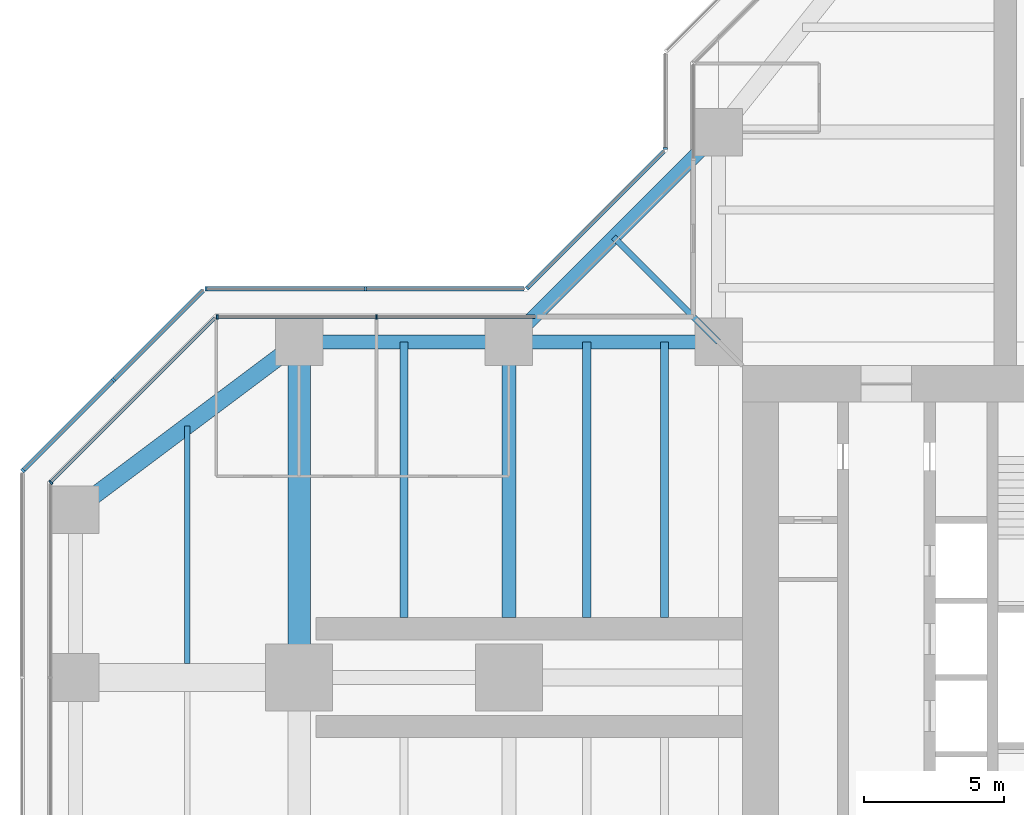
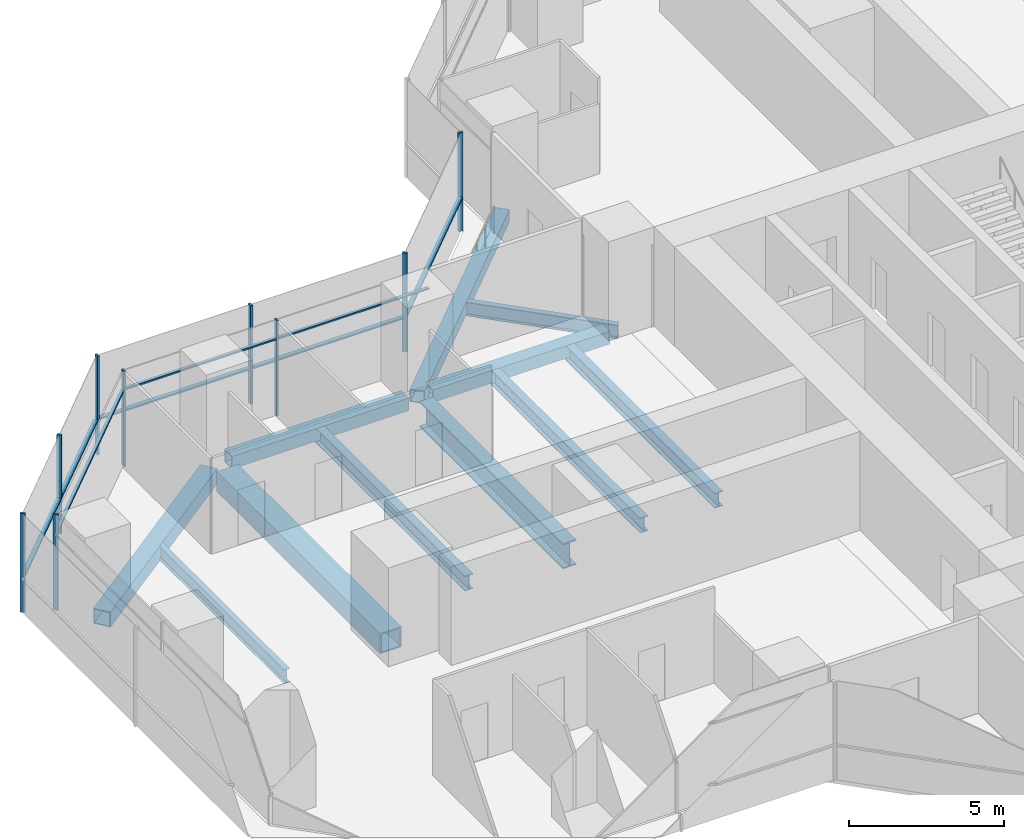
# One storey, part 7 of 20: 17 members, 11 beams, 6 elements without a shape of their own.
"""IFC4 building model written with IfcOpenShell, lengths in metres."""

from ifc_helpers import new_model, si_unit, direction, frame, origin, origin_2d, place, context, subcontext, project, spatial, rectangle, hollow_rectangle, i_section, extrude, material, material_profile, profile_set, type_object, element, aggregate, save


model = new_model("IFC4")

# Units and contexts
model_context = context("Model", 3, precision=1e-05, world=origin(), true_north=direction((0.0, 1.0)))
body_context = subcontext(model_context, "Body", "Model", "MODEL_VIEW")
ifc_project = project(units=[si_unit("LENGTHUNIT", "METRE"), si_unit("AREAUNIT", "SQUARE_METRE"), si_unit("VOLUMEUNIT", "CUBIC_METRE"), si_unit("PLANEANGLEUNIT", "RADIAN"), si_unit("MASSUNIT", "GRAM", prefix="KILO")], contexts=[model_context])

# Site, building, storey
site_placement = place(None, origin())
site = spatial("IfcSite", under=ifc_project, at=site_placement, CompositionType="ELEMENT")
building_placement = place(site_placement, origin())
building = spatial("IfcBuilding", under=site, at=building_placement, Name="Mizan Broadcast Tower", CompositionType="ELEMENT")
storey_placement = place(building_placement, frame((0.0, 0.0, 171.0)))
storey = spatial("IfcBuildingStorey", under=building, at=storey_placement, Name="L39", CompositionType="ELEMENT", Elevation=171.0)

# Beams
ifc_material_1 = material(Name="Steel S355", Category="steel")
ifc_material_profile_1 = material_profile(ifc_material_1, hollow_rectangle(XDim=0.5, YDim=0.5, WallThickness=0.030029296875, at=origin_2d()), Name="BOX 500x500x30")
ifc_profile_set_1 = profile_set([ifc_material_profile_1], Name="Steel S355")
beam_type_1 = type_object("IfcBeamType", Name="EDGE BEAM BOX 500x500x30", PredefinedType="SPANDREL", material=ifc_profile_set_1)
for number, where, z_axis, x_axis, name in (
    (1, (-12.449951171875, 12.0, -0.3798828125), (-1.0, 0.0, 0.0), (0.0, -1.0, 0.0), "Edge beam BOX 500x500x30 L39 west arm"),
    (2, (-19.949951171875, 12.0, -0.3798828125), (-1.0, 0.0, 0.0), (0.0, -1.0, 0.0), "Edge beam BOX 500x500x30 L39 west arm"),
):
    element("IfcBeam", number, at=place(storey_placement, frame(where, z_axis=z_axis, x_axis=x_axis)), inside=storey, type_object=beam_type_1, Name=name, PredefinedType="SPANDREL", context=body_context, shape_type="SweptSolid", body=[
        extrude(hollow_rectangle(XDim=0.5, YDim=0.5, WallThickness=0.030029296875, at=origin_2d()), origin(), (0.0, 0.0, 1.0), 6.60009765625),
    ])
beam_1_placement = place(storey_placement, frame((-12.0, 19.5, -0.3798828125), z_axis=(-0.707106781187, -0.707106781187, 0.0), x_axis=(0.707106781187, -0.707106781187, 0.0)))
element("IfcBeam", 3, at=beam_1_placement, inside=storey, type_object=beam_type_1, Name="Winter garden edge beam L39 N", PredefinedType="SPANDREL", context=body_context, shape_type="SweptSolid", body=[
    extrude(hollow_rectangle(XDim=0.5, YDim=0.5, WallThickness=0.030029296875, at=origin_2d()), origin(), (0.0, 0.0, 1.0), 10.606689453125),
])
ifc_material_2 = material(Name="Steel S355", Category="steel")
ifc_material_profile_2 = material_profile(ifc_material_2, hollow_rectangle(XDim=0.60009765625, YDim=0.60009765625, WallThickness=0.030029296875, at=origin_2d()), Name="BOX 600x600x30")
ifc_profile_set_2 = profile_set([ifc_material_profile_2], Name="Steel S355")
beam_type_2 = type_object("IfcBeamType", Name="EDGE BEAM BOX 600x600x30", PredefinedType="SPANDREL", material=ifc_profile_set_2)
beam_2_placement = place(storey_placement, frame((-27.47998046875, 11.639892578125, -0.429931640625), z_axis=(-0.800013316712, -0.599982243973, 0.0), x_axis=(0.599982243973, -0.800013316712, 0.0)))
element("IfcBeam", 4, at=beam_2_placement, inside=storey, type_object=beam_type_2, Name="Edge beam BOX 600x600x30 L39 west arm", PredefinedType="SPANDREL", context=body_context, shape_type="SweptSolid", body=[
    extrude(hollow_rectangle(XDim=0.60009765625, YDim=0.60009765625, WallThickness=0.030029296875, at=origin_2d()), origin(), (0.0, 0.0, 1.0), 8.7998046875),
])
ifc_material_3 = material(Name="Steel S460", Category="steel")
ifc_material_profile_3 = material_profile(ifc_material_3, hollow_rectangle(XDim=0.800048828125, YDim=0.800048828125, WallThickness=0.050048828125, at=origin_2d()), Name="BOX 800x800x50")
ifc_profile_set_3 = profile_set([ifc_material_profile_3], Name="Steel S460")
beam_type_3 = type_object("IfcBeamType", Name="GIRDER BOX 800x800x50", PredefinedType="BEAM", material=ifc_profile_set_3)
beam_3_placement = place(storey_placement, frame((-27.0, 11.280029296875, -0.530029296875), z_axis=(0.0, -1.0, 0.0), x_axis=(1.0, 0.0, 0.0)))
element("IfcBeam", 5, at=beam_3_placement, inside=storey, type_object=beam_type_3, Name="Girder BOX 800x800x50 L39 west arm", PredefinedType="BEAM", context=body_context, shape_type="SweptSolid", body=[
    extrude(hollow_rectangle(XDim=0.800048828125, YDim=0.800048828125, WallThickness=0.050048828125, at=origin_2d()), origin(), (0.0, 0.0, 1.0), 10.56005859375),
])
ifc_material_4 = material(Name="Steel S460", Category="steel")
ifc_material_profile_4 = material_profile(ifc_material_4, i_section(OverallWidth=0.5, OverallDepth=1.0, WebThickness=0.02490234375, FlangeThickness=0.050048828125, at=origin_2d()), Name="WPG 1000x500")
ifc_profile_set_4 = profile_set([ifc_material_profile_4], Name="Steel S460")
beam_type_4 = type_object("IfcBeamType", Name="GIRDER WPG 1000x500", PredefinedType="BEAM", material=ifc_profile_set_4)
beam_4_placement = place(storey_placement, frame((-19.5, 11.408935546875, -0.6298828125), z_axis=(0.0, -1.0, 0.0), x_axis=(1.0, 0.0, 0.0)))
element("IfcBeam", 6, at=beam_4_placement, inside=storey, type_object=beam_type_4, Name="Girder WPG 1000x500 L39 west arm", PredefinedType="BEAM", context=body_context, shape_type="SweptSolid", body=[
    extrude(i_section(OverallWidth=0.5, OverallDepth=1.0, WebThickness=0.02490234375, FlangeThickness=0.050048828125, at=origin_2d()), origin(), (0.0, 0.0, 1.0), 9.259033203125),
])

# Curtain wall, members
ifc_material_5 = material(Name="Aluminium framed glazing", Category="aluminium")
curtain_wall_type_1 = type_object("IfcCurtainWallType", Name="INNER SKIN MID ZONE", PredefinedType="USERDEFINED", material=ifc_material_5)
curtain_wall_1_placement = place(storey_placement, origin())
curtain_wall_1 = element("IfcCurtainWall", 7, at=curtain_wall_1_placement, inside=storey, type_object=curtain_wall_type_1, Name="Inner skin mid zone L39 W side", ObjectType="INNER SKIN MID ZONE", PredefinedType="USERDEFINED")
ifc_material_6 = material(Name="Aluminium, pale anodised", Category="aluminium")
ifc_material_profile_5 = material_profile(ifc_material_6, rectangle(XDim=0.159912109375, YDim=0.06005859375, at=origin_2d()), Name="MULLION 160x60")
ifc_profile_set_5 = profile_set([ifc_material_profile_5], Name="Aluminium, pale anodised")
member_type_1 = type_object("IfcMemberType", Name="INNER SKIN MULLION 60x160", PredefinedType="MULLION", material=ifc_profile_set_5)
member_1_placement = place(storey_placement, frame((-24.229248046875, 12.89990234375, 0.0), z_axis=(0.0, 0.0, 1.0), x_axis=(0.0, -1.0, 0.0)))
member_1 = element("IfcMember", 8, at=member_1_placement, type_object=member_type_1, Name="Inner skin mid zone L39 W side mullion 2", PredefinedType="MULLION", context=body_context, shape_type="SweptSolid", body=[
    extrude(rectangle(XDim=0.159912109375, YDim=0.06005859375, at=origin_2d()), origin(), (0.0, 0.0, 1.0), 3.77001953125),
])
member_2_placement = place(storey_placement, frame((-29.928466796875, 12.89990234375, 0.0), z_axis=(0.0, 0.0, 1.0), x_axis=(0.0, -1.0, 0.0)))
member_2 = element("IfcMember", 9, at=member_2_placement, type_object=member_type_1, Name="Inner skin mid zone L39 W side mullion 3", PredefinedType="MULLION", context=body_context, shape_type="SweptSolid", body=[
    extrude(rectangle(XDim=0.159912109375, YDim=0.06005859375, at=origin_2d()), origin(), (0.0, 0.0, 1.0), 3.77001953125),
])

# Curtain wall, member
curtain_wall_2_placement = place(storey_placement, origin())
curtain_wall_2 = element("IfcCurtainWall", 10, at=curtain_wall_2_placement, inside=storey, type_object=curtain_wall_type_1, Name="Inner skin mid zone L39 W chamfer", ObjectType="INNER SKIN MID ZONE", PredefinedType="USERDEFINED")
member_3_placement = place(storey_placement, frame((-35.87890625, 6.979736328125, 0.0), z_axis=(0.0, 0.0, 1.0), x_axis=(0.707106781187, -0.707106781187, 0.0)))
member_3 = element("IfcMember", 11, at=member_3_placement, type_object=member_type_1, Name="Inner skin mid zone L39 W chamfer mullion 2", PredefinedType="MULLION", context=body_context, shape_type="SweptSolid", body=[
    extrude(rectangle(XDim=0.159912109375, YDim=0.06005859375, at=origin_2d()), origin(), (0.0, 0.0, 1.0), 3.77001953125),
])

# Member
ifc_material_7 = material(Name="Aluminium, pale anodised", Category="aluminium")
ifc_material_profile_6 = material_profile(ifc_material_7, rectangle(XDim=0.1201171875, YDim=0.06005859375, at=origin_2d()), Name="TRANSOM 120x60")
ifc_profile_set_6 = profile_set([ifc_material_profile_6], Name="Aluminium, pale anodised")
member_type_2 = type_object("IfcMemberType", Name="INNER SKIN TRANSOM 60x120", PredefinedType="USERDEFINED", material=ifc_profile_set_6)
member_4_placement = place(storey_placement, frame((-18.56005859375, 12.89990234375, 3.030029296875), z_axis=(-1.0, 0.0, 0.0), x_axis=(0.0, -1.0, 0.0)))
member_4 = element("IfcMember", 12, at=member_4_placement, type_object=member_type_2, Name="Inner skin mid zone L39 W side transom 1.1", ObjectType="TRANSOM", PredefinedType="USERDEFINED", context=body_context, shape_type="SweptSolid", body=[
    extrude(rectangle(XDim=0.1201171875, YDim=0.06005859375, at=origin_2d()), origin(), (0.0, 0.0, 1.0), 5.63916015625),
])

member_5_placement = place(storey_placement, frame((-24.25927734375, 12.89990234375, 3.030029296875), z_axis=(-1.0, 0.0, 0.0), x_axis=(0.0, -1.0, 0.0)))
member_5 = element("IfcMember", 13, at=member_5_placement, type_object=member_type_2, Name="Inner skin mid zone L39 W side transom 2.1", ObjectType="TRANSOM", PredefinedType="USERDEFINED", context=body_context, shape_type="SweptSolid", body=[
    extrude(rectangle(XDim=0.1201171875, YDim=0.06005859375, at=origin_2d()), origin(), (0.0, 0.0, 1.0), 5.639404296875),
])

aggregate(curtain_wall_1, [member_1, member_2, member_4, member_5])

member_6_placement = place(storey_placement, frame((-30.0009765625, 12.857666015625, 3.030029296875), z_axis=(-0.707106781187, -0.707106781187, 0.0), x_axis=(0.707106781187, -0.707106781187, 0.0)))
member_6 = element("IfcMember", 14, at=member_6_placement, type_object=member_type_2, Name="Inner skin mid zone L39 W chamfer transom 1.1", ObjectType="TRANSOM", PredefinedType="USERDEFINED", context=body_context, shape_type="SweptSolid", body=[
    extrude(rectangle(XDim=0.1201171875, YDim=0.06005859375, at=origin_2d()), origin(), (0.0, 0.0, 1.0), 8.28271484375),
])

aggregate(curtain_wall_2, [member_3, member_6])

# Curtain wall, member
ifc_material_8 = material(Name="Aluminium framed glazing", Category="aluminium")
curtain_wall_type_2 = type_object("IfcCurtainWallType", Name="OUTER SKIN", PredefinedType="USERDEFINED", material=ifc_material_8)
curtain_wall_3_placement = place(storey_placement, origin())
curtain_wall_3 = element("IfcCurtainWall", 15, at=curtain_wall_3_placement, inside=storey, type_object=curtain_wall_type_2, Name="Outer skin L39 N side", ObjectType="OUTER SKIN", PredefinedType="USERDEFINED")
ifc_material_9 = material(Name="Aluminium, pale anodised", Category="aluminium")
ifc_material_profile_7 = material_profile(ifc_material_9, rectangle(XDim=0.159912109375, YDim=0.080078125, at=origin_2d()), Name="MULLION 160x80")
ifc_profile_set_7 = profile_set([ifc_material_profile_7], Name="Aluminium, pale anodised")
member_type_3 = type_object("IfcMemberType", Name="OUTER SKIN MULLION 80x160", PredefinedType="MULLION", material=ifc_profile_set_7)
member_7_placement = place(storey_placement, frame((-13.89990234375, 18.912841796875, 0.0), z_axis=(0.0, 0.0, 1.0), x_axis=(1.0, 0.0, 0.0)))
member_7 = element("IfcMember", 16, at=member_7_placement, type_object=member_type_3, Name="Outer skin L39 N side mullion 2", PredefinedType="MULLION", context=body_context, shape_type="SweptSolid", body=[
    extrude(rectangle(XDim=0.159912109375, YDim=0.080078125, at=origin_2d()), origin(), (0.0, 0.0, 1.0), 3.89990234375),
])
aggregate(curtain_wall_3, [member_7])

curtain_wall_4_placement = place(storey_placement, origin())
curtain_wall_4 = element("IfcCurtainWall", 17, at=curtain_wall_4_placement, inside=storey, type_object=curtain_wall_type_2, Name="Outer skin L39 W chamfer", ObjectType="OUTER SKIN", PredefinedType="USERDEFINED")
member_8_placement = place(storey_placement, frame((-18.844482421875, 13.92822265625, 0.0), z_axis=(0.0, 0.0, 1.0), x_axis=(0.707106781187, -0.707106781187, 0.0)))
member_8 = element("IfcMember", 18, at=member_8_placement, type_object=member_type_3, Name="Outer skin L39 W chamfer mullion 2", PredefinedType="MULLION", context=body_context, shape_type="SweptSolid", body=[
    extrude(rectangle(XDim=0.159912109375, YDim=0.080078125, at=origin_2d()), origin(), (0.0, 0.0, 1.0), 3.89990234375),
])

# Curtain wall, members
curtain_wall_5_placement = place(storey_placement, origin())
curtain_wall_5 = element("IfcCurtainWall", 19, at=curtain_wall_5_placement, inside=storey, type_object=curtain_wall_type_2, Name="Outer skin L39 W side", ObjectType="OUTER SKIN", PredefinedType="USERDEFINED")
member_9_placement = place(storey_placement, frame((-24.622802734375, 13.89990234375, 0.0), z_axis=(0.0, 0.0, 1.0), x_axis=(0.0, -1.0, 0.0)))
member_9 = element("IfcMember", 20, at=member_9_placement, type_object=member_type_3, Name="Outer skin L39 W side mullion 2", PredefinedType="MULLION", context=body_context, shape_type="SweptSolid", body=[
    extrude(rectangle(XDim=0.159912109375, YDim=0.080078125, at=origin_2d()), origin(), (0.0, 0.0, 1.0), 3.89990234375),
])
member_10_placement = place(storey_placement, frame((-30.332763671875, 13.89990234375, 0.0), z_axis=(0.0, 0.0, 1.0), x_axis=(0.0, -1.0, 0.0)))
member_10 = element("IfcMember", 21, at=member_10_placement, type_object=member_type_3, Name="Outer skin L39 W side mullion 3", PredefinedType="MULLION", context=body_context, shape_type="SweptSolid", body=[
    extrude(rectangle(XDim=0.159912109375, YDim=0.080078125, at=origin_2d()), origin(), (0.0, 0.0, 1.0), 3.89990234375),
])

curtain_wall_6_placement = place(storey_placement, origin())
curtain_wall_6 = element("IfcCurtainWall", 22, at=curtain_wall_6_placement, inside=storey, type_object=curtain_wall_type_2, Name="Outer skin L39 W chamfer", ObjectType="OUTER SKIN", PredefinedType="USERDEFINED")
member_11_placement = place(storey_placement, frame((-33.636474609375, 10.636474609375, 0.0), z_axis=(0.0, 0.0, 1.0), x_axis=(0.707106781187, -0.707106781187, 0.0)))
member_11 = element("IfcMember", 23, at=member_11_placement, type_object=member_type_3, Name="Outer skin L39 W chamfer mullion 2", PredefinedType="MULLION", context=body_context, shape_type="SweptSolid", body=[
    extrude(rectangle(XDim=0.159912109375, YDim=0.080078125, at=origin_2d()), origin(), (0.0, 0.0, 1.0), 3.89990234375),
])
member_12_placement = place(storey_placement, frame((-36.871826171875, 7.401123046875, 0.0), z_axis=(0.0, 0.0, 1.0), x_axis=(0.707106781187, -0.707106781187, 0.0)))
member_12 = element("IfcMember", 24, at=member_12_placement, type_object=member_type_3, Name="Outer skin L39 W chamfer mullion 3", PredefinedType="MULLION", context=body_context, shape_type="SweptSolid", body=[
    extrude(rectangle(XDim=0.159912109375, YDim=0.080078125, at=origin_2d()), origin(), (0.0, 0.0, 1.0), 3.89990234375),
])

# Member
ifc_material_10 = material(Name="Aluminium, pale anodised", Category="aluminium")
ifc_material_profile_8 = material_profile(ifc_material_10, rectangle(XDim=0.159912109375, YDim=0.06005859375, at=origin_2d()), Name="TRANSOM 160x60")
ifc_profile_set_8 = profile_set([ifc_material_profile_8], Name="Aluminium, pale anodised")
member_type_4 = type_object("IfcMemberType", Name="OUTER SKIN TRANSOM 60x160", PredefinedType="USERDEFINED", material=ifc_profile_set_8)
member_13_placement = place(storey_placement, frame((-13.95654296875, 18.816162109375, 1.39990234375), z_axis=(-0.707106781187, -0.707106781187, 0.0), x_axis=(0.707106781187, -0.707106781187, 0.0)))
member_13 = element("IfcMember", 25, at=member_13_placement, type_object=member_type_4, Name="Outer skin L39 W chamfer transom 1.1", ObjectType="TRANSOM", PredefinedType="USERDEFINED", context=body_context, shape_type="SweptSolid", body=[
    extrude(rectangle(XDim=0.159912109375, YDim=0.06005859375, at=origin_2d()), origin(), (0.0, 0.0, 1.0), 6.87255859375),
])

aggregate(curtain_wall_4, [member_8, member_13])

member_14_placement = place(storey_placement, frame((-18.952880859375, 13.89990234375, 1.39990234375), z_axis=(-1.0, 0.0, 0.0), x_axis=(0.0, -1.0, 0.0)))
member_14 = element("IfcMember", 26, at=member_14_placement, type_object=member_type_4, Name="Outer skin L39 W side transom 1.1", ObjectType="TRANSOM", PredefinedType="USERDEFINED", context=body_context, shape_type="SweptSolid", body=[
    extrude(rectangle(XDim=0.159912109375, YDim=0.06005859375, at=origin_2d()), origin(), (0.0, 0.0, 1.0), 5.6298828125),
])

member_15_placement = place(storey_placement, frame((-24.662841796875, 13.89990234375, 1.39990234375), z_axis=(-1.0, 0.0, 0.0), x_axis=(0.0, -1.0, 0.0)))
member_15 = element("IfcMember", 27, at=member_15_placement, type_object=member_type_4, Name="Outer skin L39 W side transom 2.1", ObjectType="TRANSOM", PredefinedType="USERDEFINED", context=body_context, shape_type="SweptSolid", body=[
    extrude(rectangle(XDim=0.159912109375, YDim=0.06005859375, at=origin_2d()), origin(), (0.0, 0.0, 1.0), 5.6298828125),
])

aggregate(curtain_wall_5, [member_9, member_10, member_14, member_15])

member_16_placement = place(storey_placement, frame((-30.429443359375, 13.843505859375, 1.39990234375), z_axis=(-0.707106781187, -0.707106781187, 0.0), x_axis=(0.707106781187, -0.707106781187, 0.0)))
member_16 = element("IfcMember", 28, at=member_16_placement, type_object=member_type_4, Name="Outer skin L39 W chamfer transom 1.1", ObjectType="TRANSOM", PredefinedType="USERDEFINED", context=body_context, shape_type="SweptSolid", body=[
    extrude(rectangle(XDim=0.159912109375, YDim=0.06005859375, at=origin_2d()), origin(), (0.0, 0.0, 1.0), 4.495361328125),
])

member_17_placement = place(storey_placement, frame((-33.664794921875, 10.608154296875, 1.39990234375), z_axis=(-0.707106781187, -0.707106781187, 0.0), x_axis=(0.707106781187, -0.707106781187, 0.0)))
member_17 = element("IfcMember", 29, at=member_17_placement, type_object=member_type_4, Name="Outer skin L39 W chamfer transom 2.1", ObjectType="TRANSOM", PredefinedType="USERDEFINED", context=body_context, shape_type="SweptSolid", body=[
    extrude(rectangle(XDim=0.159912109375, YDim=0.06005859375, at=origin_2d()), origin(), (0.0, 0.0, 1.0), 4.495361328125),
])

aggregate(curtain_wall_6, [member_11, member_12, member_16, member_17])

# Beams
ifc_material_11 = material(Name="Steel S355", Category="steel")
ifc_material_profile_9 = material_profile(ifc_material_11, i_section(OverallWidth=0.300048828125, OverallDepth=0.590087890625, WebThickness=0.012939453125, FlangeThickness=0.02490234375, FilletRadius=0.027099609375, at=origin_2d()), Name="HEA 600")
ifc_profile_set_9 = profile_set([ifc_material_profile_9], Name="Steel S355")
beam_type_5 = type_object("IfcBeamType", Name="SECONDARY BEAM HEA 600", PredefinedType="JOIST", material=ifc_profile_set_9)
for number, where, z_axis, x_axis, name in (
    (30, (-13.933349609375, 12.0, -0.425048828125), (0.0, -1.0, 0.0), (1.0, 0.0, 0.0), "Secondary beam HEA 600 L39 west arm"),
    (31, (-16.716552734375, 12.0, -0.425048828125), (0.0, -1.0, 0.0), (1.0, 0.0, 0.0), "Secondary beam HEA 600 L39 west arm"),
    (32, (-23.25, 12.0, -0.425048828125), (0.0, -1.0, 0.0), (1.0, 0.0, 0.0), "Secondary beam HEA 600 L39 west arm"),
):
    element("IfcBeam", number, at=place(storey_placement, frame(where, z_axis=z_axis, x_axis=x_axis)), inside=storey, type_object=beam_type_5, Name=name, PredefinedType="JOIST", context=body_context, shape_type="SweptSolid", body=[
        extrude(i_section(OverallWidth=0.300048828125, OverallDepth=0.590087890625, WebThickness=0.012939453125, FlangeThickness=0.02490234375, FilletRadius=0.027099609375, at=origin_2d()), origin(), (0.0, 0.0, 1.0), 9.85009765625),
    ])
ifc_material_12 = material(Name="Steel S355", Category="steel")
ifc_material_profile_10 = material_profile(ifc_material_12, i_section(OverallWidth=0.2099609375, OverallDepth=0.550048828125, WebThickness=0.010986328125, FlangeThickness=0.01708984375, FilletRadius=0.02392578125, at=origin_2d()), Name="IPE 550")
ifc_profile_set_10 = profile_set([ifc_material_profile_10], Name="Steel S355")
beam_type_6 = type_object("IfcBeamType", Name="SECONDARY BEAM IPE 550", PredefinedType="JOIST", material=ifc_profile_set_10)
beam_5_placement = place(storey_placement, frame((-31.0, 9.0, -0.405029296875), z_axis=(0.0, -1.0, 0.0), x_axis=(1.0, 0.0, 0.0)))
element("IfcBeam", 33, at=beam_5_placement, inside=storey, type_object=beam_type_6, Name="Secondary beam IPE 550 L39 west arm", PredefinedType="JOIST", context=body_context, shape_type="SweptSolid", body=[
    extrude(i_section(OverallWidth=0.2099609375, OverallDepth=0.550048828125, WebThickness=0.010986328125, FlangeThickness=0.01708984375, FilletRadius=0.02392578125, at=origin_2d()), origin(), (0.0, 0.0, 1.0), 8.5),
])
beam_6_placement = place(storey_placement, frame((-12.0, 12.0, -0.405029296875), z_axis=(-0.707106781187, 0.707106781187, 0.0), x_axis=(-0.707106781187, -0.707106781187, 0.0)))
element("IfcBeam", 34, at=beam_6_placement, inside=storey, type_object=beam_type_6, Name="Winter garden beam L39 N", PredefinedType="JOIST", context=body_context, shape_type="SweptSolid", body=[
    extrude(i_section(OverallWidth=0.2099609375, OverallDepth=0.550048828125, WebThickness=0.010986328125, FlangeThickness=0.01708984375, FilletRadius=0.02392578125, at=origin_2d()), origin(), (0.0, 0.0, 1.0), 5.30322265625),
])

save(model, "model.ifc")
